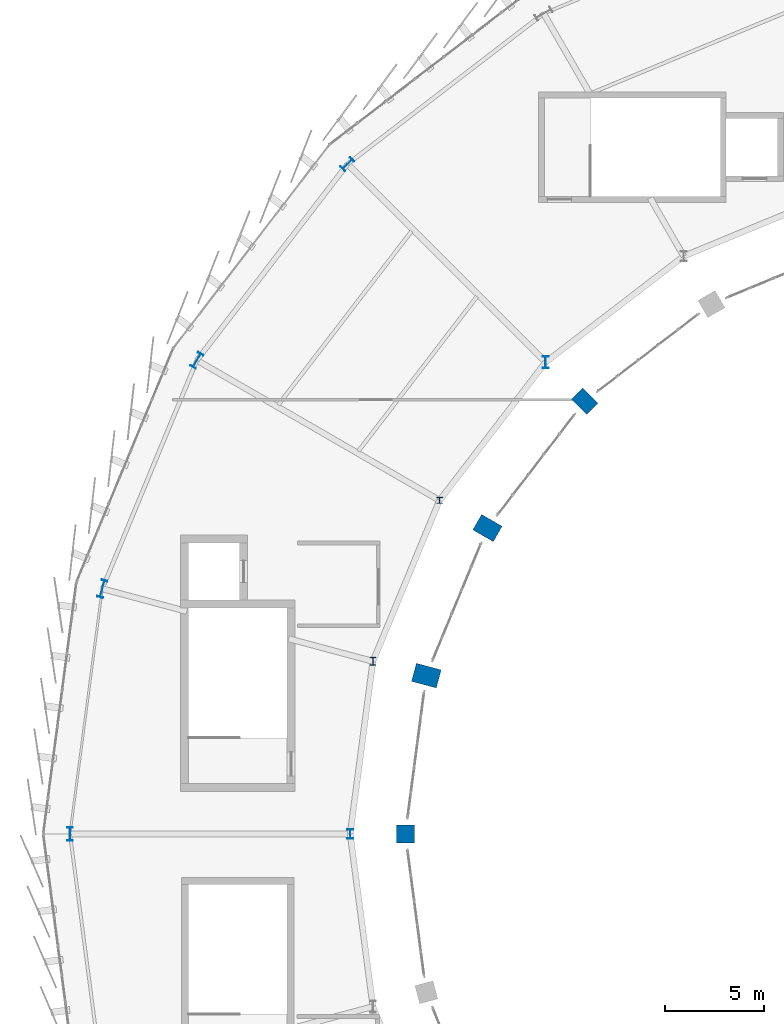
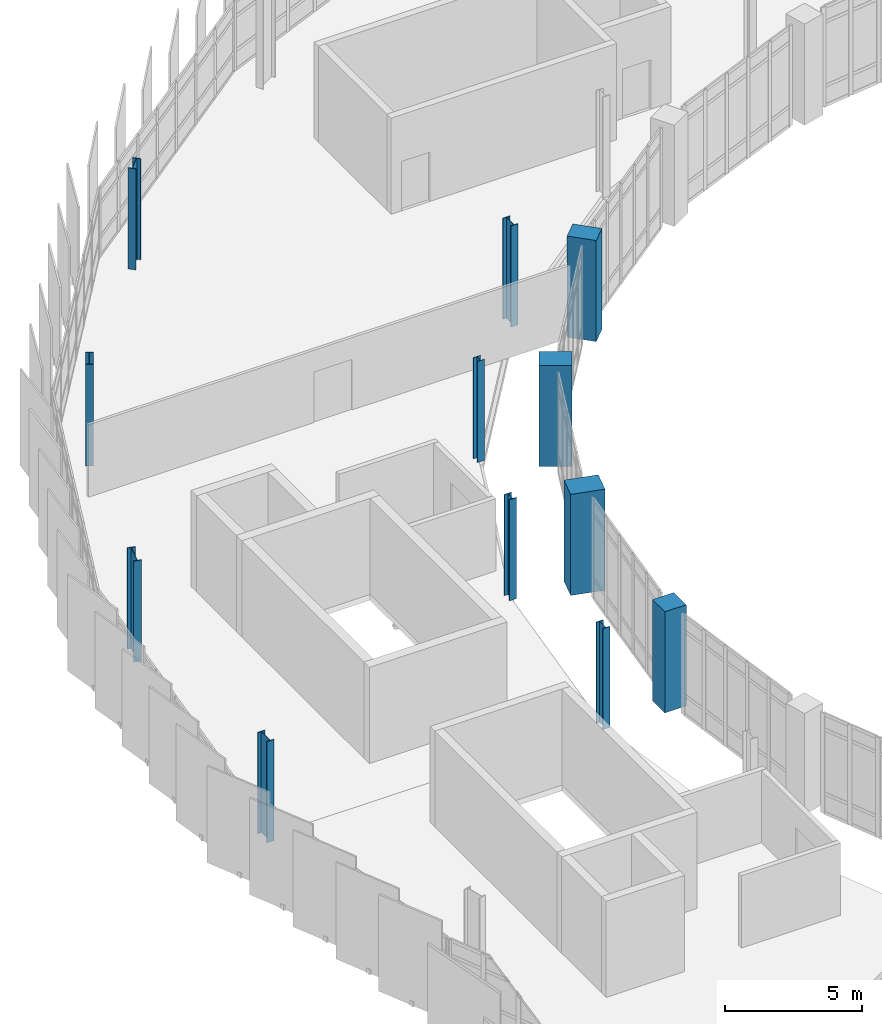
# One storey, part 6 of 67: 12 columns.
"""IFC4 building model written with IfcOpenShell, lengths in metres."""

import ifcopenshell
import ifcopenshell.guid

model = None  # the IFC model being written
_history = None  # IfcOwnerHistory: only IFC2X3 demands one
_inside = {}  # id of a spatial element -> (the spatial element, [elements in it])
_under = {}  # id of a project, library or spatial element -> (it, [spatial elements below it])
_declared = {}  # id of a project -> (the project, [libraries it declares])
_typed = {}  # id of a type object -> (the type object, [elements of that type])
_made_of = {}  # id of a material, layer set ... -> (it, [elements and type objects made of it])


def new_model(schema):
    """Start an empty IFC model of exactly this schema.

    Asked for "IFC4X3", IfcOpenShell would pick the latest addendum, in which some entities
    have other attributes; the version numbers below select the first issue.
    IFC2X3 requires an IfcOwnerHistory on every rooted entity: one is made here for all.
    """
    global model, _history
    if schema == "IFC4X3":
        model = ifcopenshell.file(schema_version=(4, 3, 0, 0))
    else:
        model = ifcopenshell.file(schema=schema)
    _inside.clear()
    _under.clear()
    _declared.clear()
    _typed.clear()
    _made_of.clear()
    _history = None
    if model.schema == "IFC2X3":
        org = make("IfcOrganization", Name="unknown")
        user = make(
            "IfcPersonAndOrganization",
            ThePerson=make("IfcPerson", FamilyName="unknown"),
            TheOrganization=org,
        )
        app = make(
            "IfcApplication",
            ApplicationDeveloper=org,
            Version="unknown",
            ApplicationFullName="unknown",
            ApplicationIdentifier="unknown",
        )
        _history = make(
            "IfcOwnerHistory",
            OwningUser=user,
            OwningApplication=app,
            ChangeAction="ADDED",
            CreationDate=0,
        )
    return model


def make(cls, **values):
    """One entity of the class cls with the attributes given. An attribute that is None is left unset."""
    return model.create_entity(
        cls, **{name: value for name, value in values.items() if value is not None}
    )


def rooted(cls, **values):
    """An entity with a GlobalId (a new one), such as an element, a storey or a relation."""
    return make(cls, GlobalId=ifcopenshell.guid.new(), OwnerHistory=_history, **values)


def si_unit(unit_type, name, prefix=None):
    """IfcSIUnit, for example si_unit("LENGTHUNIT", "METRE", prefix="MILLI")."""
    return make("IfcSIUnit", UnitType=unit_type, Prefix=prefix, Name=name)


def assignment(units):
    """IfcUnitAssignment: the units of a project."""
    return None if units is None else make("IfcUnitAssignment", Units=units)


def point(xyz):
    """IfcCartesianPoint."""
    return None if xyz is None else make("IfcCartesianPoint", Coordinates=xyz)


def direction(xyz):
    """IfcDirection."""
    return None if xyz is None else make("IfcDirection", DirectionRatios=xyz)


def frame(location, z_axis=None, x_axis=None):
    """IfcAxis2Placement3D, a coordinate frame: its origin and axes. An axis left out is left unset."""
    return make(
        "IfcAxis2Placement3D",
        Location=point(location),
        Axis=direction(z_axis),
        RefDirection=direction(x_axis),
    )


def frame_2d(location, x_axis=None):
    """IfcAxis2Placement2D, a coordinate frame in the plane: its origin and x axis."""
    return make(
        "IfcAxis2Placement2D", Location=point(location), RefDirection=direction(x_axis)
    )


def origin():
    """The frame at (0, 0, 0) with its axes left unset."""
    return frame((0.0, 0.0, 0.0))


def origin_2d():
    """The frame at (0, 0) in the plane with its x axis left unset."""
    return frame_2d((0.0, 0.0))


def place(relative_to, where):
    """IfcLocalPlacement: puts the frame where relative to a parent placement (None: the world)."""
    return make(
        "IfcLocalPlacement", PlacementRelTo=relative_to, RelativePlacement=where
    )


def context(
    kind, dimensions, precision=None, world=None, true_north=None, identifier=None
):
    """IfcGeometricRepresentationContext, for example the 3D "Model" context."""
    return make(
        "IfcGeometricRepresentationContext",
        ContextIdentifier=identifier,
        ContextType=kind,
        CoordinateSpaceDimension=dimensions,
        Precision=precision,
        WorldCoordinateSystem=world,
        TrueNorth=true_north,
    )


def subcontext(parent, identifier, kind, view, scale=None):
    """IfcGeometricRepresentationSubContext, for example "Body" below "Model"."""
    return make(
        "IfcGeometricRepresentationSubContext",
        ContextIdentifier=identifier,
        ContextType=kind,
        ParentContext=parent,
        TargetScale=scale,
        TargetView=view,
    )


def project(units=None, contexts=None):
    """IfcProject with its units and contexts."""
    return rooted(
        "IfcProject",
        Name="project",
        RepresentationContexts=contexts,
        UnitsInContext=assignment(units),
    )


def spatial(cls, under=None, at=None, **own):
    """A site, building, storey or space (cls), placed at a placement, below another one or the project."""
    s = rooted(cls, ObjectPlacement=at, **own)
    if under is not None:
        _under.setdefault(under.id(), (under, []))[1].append(s)
    return s


def profile(cls, at=None, kind="AREA", **sizes):
    """A parametric profile (cls). Its sizes go by their IFC names, for example OverallWidth=200.0."""
    return make(cls, ProfileType=kind, Position=at, **sizes)


def rectangle(**sizes):
    """IfcRectangleProfileDef."""
    return profile("IfcRectangleProfileDef", **sizes)


def i_section(**sizes):
    """IfcIShapeProfileDef."""
    return profile("IfcIShapeProfileDef", **sizes)


def extrude(swept, where, along, depth):
    """IfcExtrudedAreaSolid: the profile swept, set in the frame where, extruded along a direction by depth."""
    return make(
        "IfcExtrudedAreaSolid",
        SweptArea=swept,
        Position=where,
        ExtrudedDirection=direction(along),
        Depth=depth,
    )


def shape(context_of_items, identifier, shape_type, items):
    """IfcShapeRepresentation: the items that make up one representation, for example the "Body"."""
    return make(
        "IfcShapeRepresentation",
        ContextOfItems=context_of_items,
        RepresentationIdentifier=identifier,
        RepresentationType=shape_type,
        Items=items,
    )


def material(Name=None, Category=None):
    """IfcMaterial."""
    return make("IfcMaterial", Name=Name, Category=Category)


def material_profile(
    of_material, cross_section, Name=None, Category=None, Priority=None
):
    """IfcMaterialProfile: a cross section and its material."""
    return make(
        "IfcMaterialProfile",
        Name=Name,
        Material=of_material,
        Profile=cross_section,
        Priority=Priority,
        Category=Category,
    )


def profile_set(profiles, Name=None, composite=None):
    """IfcMaterialProfileSet."""
    return make(
        "IfcMaterialProfileSet",
        Name=Name,
        MaterialProfiles=profiles,
        CompositeProfile=composite,
    )


def made_of(thing, what):
    """Note that an element or type object is made of a material, layer set ...; save() writes the relation."""
    if what is not None:
        _made_of.setdefault(what.id(), (what, []))[1].append(thing)
    return thing


def type_object(cls, material=None, **own):
    """A type object (cls), such as IfcWallType, which elements share."""
    return made_of(rooted(cls, **own), material)


def element(
    cls,
    number,
    at=None,
    inside=None,
    cuts=None,
    type_object=None,
    material=None,
    context=None,
    identifier="Body",
    shape_type=None,
    held_by="IfcProductDefinitionShape",
    body=None,
    shapes=None,
    **own,
):
    """One element of the class cls, such as IfcWall. Its Tag is "e" and its number.

    at: its placement. inside: the storey or other place that contains it. cuts: it is an
    opening in that element (IfcRelVoidsElement). A single representation is given by context,
    identifier, shape_type and body (its items); several are given by shapes. held_by: the class
    of the entity that holds the representations. save() writes the other relations.
    """
    e = rooted(cls, Tag="e%d" % number, ObjectPlacement=at, **own)
    if body is not None:
        shapes = [shape(context, identifier, shape_type, body)]
    if shapes is not None:
        e.Representation = make(held_by, Representations=shapes)
    if inside is not None:
        _inside.setdefault(inside.id(), (inside, []))[1].append(e)
    if cuts is not None:
        rooted(
            "IfcRelVoidsElement", RelatingBuildingElement=cuts, RelatedOpeningElement=e
        )
    if type_object is not None:
        _typed.setdefault(type_object.id(), (type_object, []))[1].append(e)
    return made_of(e, material)


def aggregate(whole, parts):
    """IfcRelAggregates: a whole, such as a stair, and the parts it consists of."""
    return rooted("IfcRelAggregates", RelatingObject=whole, RelatedObjects=parts)


def save(model, path):
    """Write the relations noted so far, then the file.

    IfcRelAggregates (storeys below a building ...), IfcRelContainedInSpatialStructure (elements
    in a storey), IfcRelDefinesByType, IfcRelAssociatesMaterial and IfcRelDeclares: one each for
    every whole, place, type object, material and project.
    """
    for whole, parts in _under.values():
        aggregate(whole, parts)
    for where, things in _inside.values():
        rooted(
            "IfcRelContainedInSpatialStructure",
            RelatedElements=things,
            RelatingStructure=where,
        )
    for kind, things in _typed.values():
        rooted("IfcRelDefinesByType", RelatedObjects=things, RelatingType=kind)
    for what, things in _made_of.values():
        rooted("IfcRelAssociatesMaterial", RelatedObjects=things, RelatingMaterial=what)
    for by, libraries in _declared.values():
        rooted("IfcRelDeclares", RelatingContext=by, RelatedDefinitions=libraries)
    model.write(path)


model = new_model("IFC4")

# Units and contexts
model_context = context("Model", 3, precision=1e-05, world=origin(), true_north=direction((0.0, 1.0)))
body_context = subcontext(model_context, "Body", "Model", "MODEL_VIEW")
ifc_project = project(units=[si_unit("LENGTHUNIT", "METRE"), si_unit("AREAUNIT", "SQUARE_METRE"), si_unit("VOLUMEUNIT", "CUBIC_METRE"), si_unit("PLANEANGLEUNIT", "RADIAN"), si_unit("MASSUNIT", "GRAM", prefix="KILO")], contexts=[model_context])

# Site, building, storey
site_placement = place(None, origin())
site = spatial("IfcSite", under=ifc_project, at=site_placement, CompositionType="ELEMENT")
building_placement = place(site_placement, origin())
building = spatial("IfcBuilding", under=site, at=building_placement, Name="Sohan Crest Arena", CompositionType="ELEMENT")
storey_placement = place(building_placement, frame((0.0, 0.0, 22.5)))
storey = spatial("IfcBuildingStorey", under=building, at=storey_placement, Name="L05", CompositionType="ELEMENT", Elevation=22.5)

# Columns
ifc_material_1 = material(Name="Concrete C40/50", Category="concrete")
ifc_material_profile_1 = material_profile(ifc_material_1, rectangle(XDim=0.89990234375, YDim=0.89990234375, at=origin_2d()), Name="RC 900x900")
ifc_profile_set_1 = profile_set([ifc_material_profile_1], Name="Concrete C40/50")
column_type_1 = type_object("IfcColumnType", Name="STR-COL-C07", PredefinedType="COLUMN", material=ifc_profile_set_1)
column_1_placement = place(storey_placement, frame((67.0, 78.0, 0.0), z_axis=(0.0, 0.0, 1.0), x_axis=(1.0, 0.0, 0.0)))
element("IfcColumn", 1, at=column_1_placement, inside=storey, type_object=column_type_1, Name="Structural column COL-V1R-07-L05", PredefinedType="COLUMN", context=body_context, shape_type="SweptSolid", body=[
    extrude(rectangle(XDim=0.89990234375, YDim=0.89990234375, at=origin_2d()), origin(), (0.0, 0.0, 1.0), 4.5),
])
ifc_material_profile_2 = material_profile(ifc_material_1, rectangle(XDim=1.10009765625, YDim=0.800048828125, at=origin_2d()), Name="RC 1100x800")
ifc_profile_set_2 = profile_set([ifc_material_profile_2], Name="Concrete C40/50")
column_type_2 = type_object("IfcColumnType", Name="STR-COL-C10", PredefinedType="COLUMN", material=ifc_profile_set_2)
column_2_placement = place(storey_placement, frame((76.080078125, 99.919921875, 0.0), z_axis=(0.0, 0.0, 1.0), x_axis=(-0.707106781187, 0.707106781187, 0.0)))
element("IfcColumn", 2, at=column_2_placement, inside=storey, type_object=column_type_2, Name="Structural column COL-V1R-04-L05", PredefinedType="COLUMN", context=body_context, shape_type="SweptSolid", body=[
    extrude(rectangle(XDim=1.10009765625, YDim=0.800048828125, at=origin_2d()), origin(), (0.0, 0.0, 1.0), 4.5),
])
ifc_material_profile_3 = material_profile(ifc_material_1, rectangle(XDim=1.199951171875, YDim=0.89990234375, at=origin_2d()), Name="RC 1200x900")
ifc_profile_set_3 = profile_set([ifc_material_profile_3], Name="Concrete C40/50")
column_type_3 = type_object("IfcColumnType", Name="STR-COL-C11", PredefinedType="COLUMN", material=ifc_profile_set_3)
column_3_placement = place(storey_placement, frame((71.153076171875, 93.5, 0.0), z_axis=(0.0, 0.0, 1.0), x_axis=(-0.866025403784, 0.5, 0.0)))
element("IfcColumn", 3, at=column_3_placement, inside=storey, type_object=column_type_3, Name="Structural column COL-V1R-05-L05", PredefinedType="COLUMN", context=body_context, shape_type="SweptSolid", body=[
    extrude(rectangle(XDim=1.199951171875, YDim=0.89990234375, at=origin_2d()), origin(), (0.0, 0.0, 1.0), 4.5),
])
ifc_material_profile_4 = material_profile(ifc_material_1, rectangle(XDim=1.300048828125, YDim=0.949951171875, at=origin_2d()), Name="RC 1300x950")
ifc_profile_set_4 = profile_set([ifc_material_profile_4], Name="Concrete C40/50")
column_type_4 = type_object("IfcColumnType", Name="STR-COL-C12", PredefinedType="COLUMN", material=ifc_profile_set_4)
column_4_placement = place(storey_placement, frame((68.055908203125, 86.02294921875, 0.0), z_axis=(0.0, 0.0, 1.0), x_axis=(-0.965925826289, 0.258819045103, 0.0)))
element("IfcColumn", 4, at=column_4_placement, inside=storey, type_object=column_type_4, Name="Structural column COL-V1R-06-L05", PredefinedType="COLUMN", context=body_context, shape_type="SweptSolid", body=[
    extrude(rectangle(XDim=1.300048828125, YDim=0.949951171875, at=origin_2d()), origin(), (0.0, 0.0, 1.0), 4.5),
])
ifc_material_2 = material(Name="Steel S355", Category="steel")
ifc_material_profile_5 = material_profile(ifc_material_2, i_section(OverallWidth=0.300048828125, OverallDepth=0.300048828125, WebThickness=0.010986328125, FlangeThickness=0.01904296875, at=origin_2d()), Name="HEB 300")
ifc_profile_set_5 = profile_set([ifc_material_profile_5], Name="Steel S355")
column_type_5 = type_object("IfcColumnType", Name="STR-COL-C17", PredefinedType="COLUMN", material=ifc_profile_set_5)
column_5_placement = place(storey_placement, frame((68.72802734375, 94.89990234375, 0.0), z_axis=(0.0, 0.0, 1.0), x_axis=(1.0, 0.0, 0.0)))
element("IfcColumn", 5, at=column_5_placement, inside=storey, type_object=column_type_5, Name="Structural column COL-V2I-05-L05", PredefinedType="COLUMN", context=body_context, shape_type="SweptSolid", body=[
    extrude(i_section(OverallWidth=0.300048828125, OverallDepth=0.300048828125, WebThickness=0.010986328125, FlangeThickness=0.01904296875, at=origin_2d()), origin(), (0.0, 0.0, 1.0), 4.5),
])
ifc_material_profile_6 = material_profile(ifc_material_2, i_section(OverallWidth=0.300048828125, OverallDepth=0.39990234375, WebThickness=0.013427734375, FlangeThickness=0.02392578125, at=origin_2d()), Name="HEB 400")
ifc_profile_set_6 = profile_set([ifc_material_profile_6], Name="Steel S355")
column_type_6 = type_object("IfcColumnType", Name="STR-COL-C18", PredefinedType="COLUMN", material=ifc_profile_set_6)
column_6_placement = place(storey_placement, frame((65.35205078125, 86.748046875, 0.0), z_axis=(0.0, 0.0, 1.0), x_axis=(1.0, 0.0, 0.0)))
element("IfcColumn", 6, at=column_6_placement, inside=storey, type_object=column_type_6, Name="Structural column COL-V2I-06-L05", PredefinedType="COLUMN", context=body_context, shape_type="SweptSolid", body=[
    extrude(i_section(OverallWidth=0.300048828125, OverallDepth=0.39990234375, WebThickness=0.013427734375, FlangeThickness=0.02392578125, at=origin_2d()), origin(), (0.0, 0.0, 1.0), 4.5),
])
ifc_material_profile_7 = material_profile(ifc_material_2, i_section(OverallWidth=0.300048828125, OverallDepth=0.5, WebThickness=0.014404296875, FlangeThickness=0.028076171875, at=origin_2d()), Name="HEB 500")
ifc_profile_set_7 = profile_set([ifc_material_profile_7], Name="Steel S355")
column_type_7 = type_object("IfcColumnType", Name="STR-COL-C19", PredefinedType="COLUMN", material=ifc_profile_set_7)
column_7_placement = place(storey_placement, frame((64.199951171875, 78.0, 0.0), z_axis=(0.0, 0.0, 1.0), x_axis=(1.0, 0.0, 0.0)))
element("IfcColumn", 7, at=column_7_placement, inside=storey, type_object=column_type_7, Name="Structural column COL-V2I-07-L05", PredefinedType="COLUMN", context=body_context, shape_type="SweptSolid", body=[
    extrude(i_section(OverallWidth=0.300048828125, OverallDepth=0.5, WebThickness=0.014404296875, FlangeThickness=0.028076171875, at=origin_2d()), origin(), (0.0, 0.0, 1.0), 4.5),
])
ifc_material_profile_8 = material_profile(ifc_material_2, i_section(OverallWidth=0.300048828125, OverallDepth=0.60009765625, WebThickness=0.015380859375, FlangeThickness=0.030029296875, at=origin_2d()), Name="HEB 600")
ifc_profile_set_8 = profile_set([ifc_material_profile_8], Name="Steel S355")
column_type_8 = type_object("IfcColumnType", Name="STR-COL-C20", PredefinedType="COLUMN", material=ifc_profile_set_8)
column_8_placement = place(storey_placement, frame((74.10009765625, 101.89990234375, 0.0), z_axis=(0.0, 0.0, 1.0), x_axis=(1.0, 0.0, 0.0)))
element("IfcColumn", 8, at=column_8_placement, inside=storey, type_object=column_type_8, Name="Structural column COL-V2I-04-L05", PredefinedType="COLUMN", context=body_context, shape_type="SweptSolid", body=[
    extrude(i_section(OverallWidth=0.300048828125, OverallDepth=0.60009765625, WebThickness=0.015380859375, FlangeThickness=0.030029296875, at=origin_2d()), origin(), (0.0, 0.0, 1.0), 4.5),
])
ifc_material_profile_9 = material_profile(ifc_material_2, i_section(OverallWidth=0.300048828125, OverallDepth=0.699951171875, WebThickness=0.01708984375, FlangeThickness=0.031982421875, at=origin_2d()), Name="HEB 700")
ifc_profile_set_9 = profile_set([ifc_material_profile_9], Name="Steel S355")
column_type_9 = type_object("IfcColumnType", Name="STR-COL-C21", PredefinedType="COLUMN", material=ifc_profile_set_9)
for number, where, z_axis, x_axis, name in (
    (9, (64.05908203125, 111.94091796875, 0.0), (0.0, 0.0, 1.0), (-0.707106781187, 0.707106781187, 0.0), "Structural column COL-V2O-04-L05"),
    (10, (50.0, 78.0, 0.0), (0.0, 0.0, 1.0), (1.0, 0.0, 0.0), "Structural column COL-V2O-07-L05"),
):
    element("IfcColumn", number, at=place(storey_placement, frame(where, z_axis=z_axis, x_axis=x_axis)), inside=storey, type_object=column_type_9, Name=name, PredefinedType="COLUMN", context=body_context, shape_type="SweptSolid", body=[
        extrude(i_section(OverallWidth=0.300048828125, OverallDepth=0.699951171875, WebThickness=0.01708984375, FlangeThickness=0.031982421875, at=origin_2d()), origin(), (0.0, 0.0, 1.0), 4.5),
    ])
ifc_material_profile_10 = material_profile(ifc_material_2, i_section(OverallWidth=0.300048828125, OverallDepth=0.800048828125, WebThickness=0.017578125, FlangeThickness=0.032958984375, at=origin_2d()), Name="HEB 800")
ifc_profile_set_10 = profile_set([ifc_material_profile_10], Name="Steel S355")
column_type_10 = type_object("IfcColumnType", Name="STR-COL-C22", PredefinedType="COLUMN", material=ifc_profile_set_10)
column_9_placement = place(storey_placement, frame((56.430908203125, 102.0, 0.0), z_axis=(0.0, 0.0, 1.0), x_axis=(-0.866025403784, 0.5, 0.0)))
element("IfcColumn", 11, at=column_9_placement, inside=storey, type_object=column_type_10, Name="Structural column COL-V2O-05-L05", PredefinedType="COLUMN", context=body_context, shape_type="SweptSolid", body=[
    extrude(i_section(OverallWidth=0.300048828125, OverallDepth=0.800048828125, WebThickness=0.017578125, FlangeThickness=0.032958984375, at=origin_2d()), origin(), (0.0, 0.0, 1.0), 4.5),
])
ifc_material_profile_11 = material_profile(ifc_material_2, i_section(OverallWidth=0.300048828125, OverallDepth=0.89990234375, WebThickness=0.0185546875, FlangeThickness=0.034912109375, at=origin_2d()), Name="HEB 900")
ifc_profile_set_11 = profile_set([ifc_material_profile_11], Name="Steel S355")
column_type_11 = type_object("IfcColumnType", Name="STR-COL-C23", PredefinedType="COLUMN", material=ifc_profile_set_11)
column_10_placement = place(storey_placement, frame((51.635986328125, 90.423095703125, 0.0), z_axis=(0.0, 0.0, 1.0), x_axis=(-0.965925826289, 0.258819045103, 0.0)))
element("IfcColumn", 12, at=column_10_placement, inside=storey, type_object=column_type_11, Name="Structural column COL-V2O-06-L05", PredefinedType="COLUMN", context=body_context, shape_type="SweptSolid", body=[
    extrude(i_section(OverallWidth=0.300048828125, OverallDepth=0.89990234375, WebThickness=0.0185546875, FlangeThickness=0.034912109375, at=origin_2d()), origin(), (0.0, 0.0, 1.0), 4.5),
])

save(model, "model.ifc")
